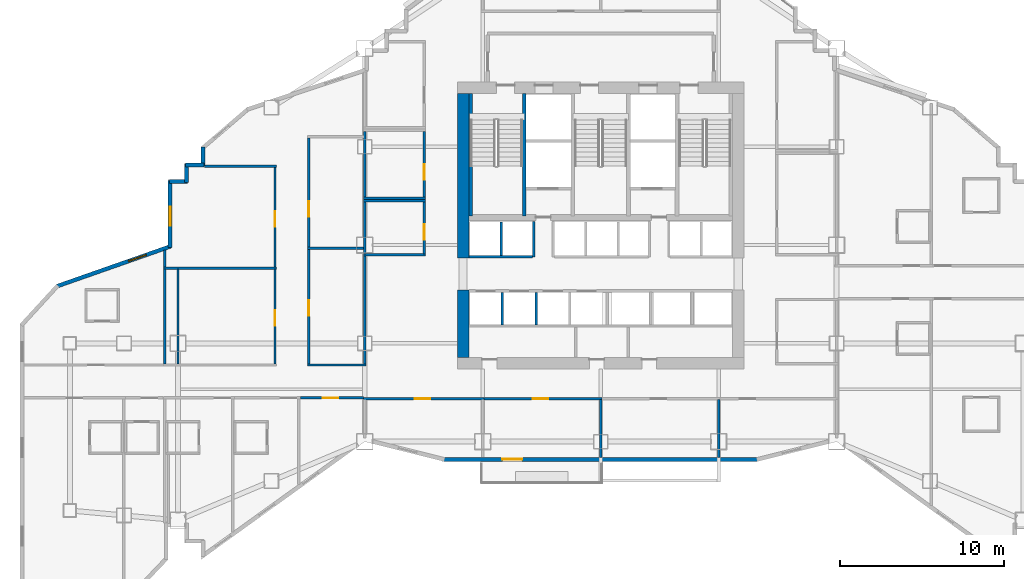
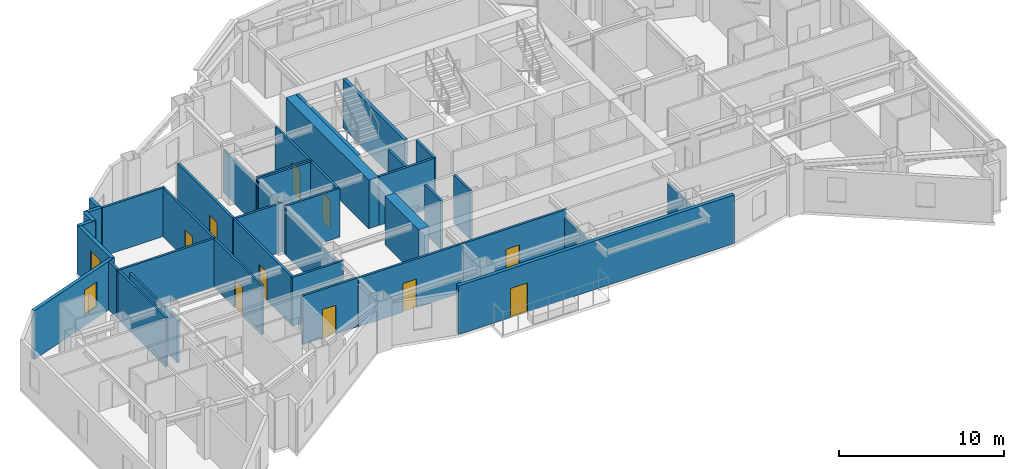
# One storey, part 6 of 13: 40 walls, 10 doors, 2 windows, 12 openings.
"""IFC4 building model written with IfcOpenShell, lengths in metres."""

from ifc_helpers import new_model, si_unit, direction, frame, frame_2d, origin, place, context, subcontext, project, spatial, rectangle, extrude, material, layer, layer_set, type_object, element, fill, save


model = new_model("IFC4")

# Units and contexts
model_context = context("Model", 3, precision=1e-05, world=origin(), true_north=direction((0.0, 1.0)))
body_context = subcontext(model_context, "Body", "Model", "MODEL_VIEW")
ifc_project = project(units=[si_unit("LENGTHUNIT", "METRE"), si_unit("AREAUNIT", "SQUARE_METRE"), si_unit("VOLUMEUNIT", "CUBIC_METRE"), si_unit("PLANEANGLEUNIT", "RADIAN"), si_unit("MASSUNIT", "GRAM", prefix="KILO")], contexts=[model_context])

# Site, building, storey
site_placement = place(None, origin())
site = spatial("IfcSite", under=ifc_project, at=site_placement, CompositionType="ELEMENT")
building_placement = place(site_placement, origin())
building = spatial("IfcBuilding", under=site, at=building_placement, Name="Haolan Belvedere Tower", CompositionType="ELEMENT")
storey_placement = place(building_placement, frame((0.0, 0.0, 102.199951171875)))
storey = spatial("IfcBuildingStorey", under=building, at=storey_placement, Name="L25", CompositionType="ELEMENT", Elevation=102.199951171875)

# Walls
ifc_material_1 = material(Name="Concrete C60/75", Category="concrete")
ifc_layer_1 = layer(ifc_material_1, 0.699951171875, Name="Concrete C60/75")
ifc_layer_set_1 = layer_set([ifc_layer_1], Name="Concrete C60/75")
wall_type_1 = type_object("IfcWallType", Name="WL-CORE-700", PredefinedType="SHEAR", material=ifc_layer_set_1)
wall_1_placement = place(storey_placement, frame((30.0, 26.75, 0.0), z_axis=(0.0, 0.0, 1.0), x_axis=(0.0, 1.0, 0.0)))
element("IfcWall", 1, at=wall_1_placement, inside=storey, type_object=wall_type_1, Name="L25 central core shear wall WS", PredefinedType="SHEAR", context=body_context, shape_type="SweptSolid", body=[
    extrude(rectangle(XDim=4.10009765625, YDim=0.699951171875, at=frame_2d((2.050048828125, 0.0))), origin(), (0.0, 0.0, 1.0), 3.60009765625),
])
wall_2_placement = place(storey_placement, frame((30.0, 32.800048828125, 0.0), z_axis=(0.0, 0.0, 1.0), x_axis=(0.0, 1.0, 0.0)))
element("IfcWall", 2, at=wall_2_placement, inside=storey, type_object=wall_type_1, Name="L25 central core shear wall WN", PredefinedType="SHEAR", context=body_context, shape_type="SweptSolid", body=[
    extrude(rectangle(XDim=10.050048828125, YDim=0.699951171875, at=frame_2d((5.02490234375, 0.0))), origin(), (0.0, 0.0, 1.0), 3.60009765625),
])

# Wall, opening, door
ifc_material_2 = material(Name="Precast concrete C40/50", Category="concrete")
ifc_layer_2 = layer(ifc_material_2, 0.239990234375, Name="Precast concrete C40/50")
ifc_layer_set_2 = layer_set([ifc_layer_2], Name="Precast concrete C40/50")
wall_type_2 = type_object("IfcWallType", Name="WL-EXT-240", PredefinedType="SOLIDWALL", material=ifc_layer_set_2)
wall_3_placement = place(storey_placement, frame((28.759765625, 20.52001953125, 0.0), z_axis=(0.0, 0.0, 1.0), x_axis=(1.0, 0.0, 0.0)))
wall_3 = element("IfcWall", 3, at=wall_3_placement, inside=storey, type_object=wall_type_2, Name="L25 pale-metal exterior spandrel wall 7.1", PredefinedType="SOLIDWALL", context=body_context, shape_type="SweptSolid", body=[
    extrude(rectangle(XDim=19.280517578125, YDim=0.239990234375, at=frame_2d((9.64013671875, 0.0))), origin(), (0.0, 0.0, 1.0), 3.60009765625),
])
opening_1_placement = place(wall_3_placement, frame((4.840087890625, 0.0, 0.0), z_axis=(0.0, 0.0, 1.0), x_axis=(-1.0, 0.0, 0.0)))
opening_1 = element("IfcOpeningElement", 4, at=opening_1_placement, cuts=wall_3, Name="Opening BD-01", PredefinedType="OPENING", context=body_context, shape_type="SweptSolid", body=[
    extrude(rectangle(XDim=1.199951171875, YDim=2.14990234375, at=frame_2d((0.60009765625, 1.074951171875))), frame((0.0, 0.1298828125, 0.0), z_axis=(0.0, -1.0, 0.0), x_axis=(1.0, 0.0, 0.0)), (0.0, 0.0, 1.0), 0.260009765625),
])
ifc_material_3 = material(Name="Thermally broken pale-metal aluminium and Low-E glass", Category="aluminium")
door_type_1 = type_object("IfcDoorType", Name="DR-BAL-1200", OperationType="NOTDEFINED", PredefinedType="DOOR", material=ifc_material_3)
door_1_placement = place(opening_1_placement, origin())
door_1 = element("IfcDoor", 5, at=door_1_placement, inside=storey, type_object=door_type_1, Name="L25 tree-balcony access door 1", OperationType="SINGLE_SWING_LEFT", OverallHeight=2.14990234375, OverallWidth=1.199951171875, PredefinedType="DOOR", context=body_context, shape_type="SweptSolid", body=[
    extrude(rectangle(XDim=1.199951171875, YDim=2.14990234375, at=frame_2d((0.60009765625, 1.074951171875))), frame((0.0, 0.02490234375, 0.0), z_axis=(0.0, -1.0, 0.0), x_axis=(1.0, 0.0, 0.0)), (0.0, 0.0, 1.0), 0.050048828125),
])
fill(opening_1, door_1)

# Walls
wall_4_placement = place(storey_placement, frame((14.1201171875, 39.599853515625, 0.0), z_axis=(0.0, 0.0, 1.0), x_axis=(0.0, -1.0, 0.0)))
element("IfcWall", 6, at=wall_4_placement, inside=storey, type_object=wall_type_2, Name="L25 pale-metal exterior spandrel wall 37.1", PredefinedType="SOLIDWALL", context=body_context, shape_type="SweptSolid", body=[
    extrude(rectangle(XDim=1.1748046875, YDim=0.239990234375, at=frame_2d((0.58740234375, 0.0))), origin(), (0.0, 0.0, 1.0), 3.60009765625),
])
wall_5_placement = place(storey_placement, frame((14.175048828125, 38.47998046875, 0.0), z_axis=(0.0, 0.0, 1.0), x_axis=(-1.0, 0.0, 0.0)))
element("IfcWall", 7, at=wall_5_placement, inside=storey, type_object=wall_type_2, Name="L25 pale-metal exterior spandrel wall 38.1", PredefinedType="SOLIDWALL", context=body_context, shape_type="SweptSolid", body=[
    extrude(rectangle(XDim=1.110107421875, YDim=0.239990234375, at=frame_2d((0.55517578125, 0.0))), origin(), (0.0, 0.0, 1.0), 3.60009765625),
])
wall_6_placement = place(storey_placement, frame((13.1201171875, 38.534912109375, 0.0), z_axis=(0.0, 0.0, 1.0), x_axis=(0.0, -1.0, 0.0)))
element("IfcWall", 8, at=wall_6_placement, inside=storey, type_object=wall_type_2, Name="L25 pale-metal exterior spandrel wall 39.1", PredefinedType="SOLIDWALL", context=body_context, shape_type="SweptSolid", body=[
    extrude(rectangle(XDim=1.10986328125, YDim=0.239990234375, at=frame_2d((0.554931640625, 0.0))), origin(), (0.0, 0.0, 1.0), 3.60009765625),
])
wall_7_placement = place(storey_placement, frame((13.175048828125, 37.47998046875, 0.0), z_axis=(0.0, 0.0, 1.0), x_axis=(-1.0, 0.0, 0.0)))
element("IfcWall", 9, at=wall_7_placement, inside=storey, type_object=wall_type_2, Name="L25 pale-metal exterior spandrel wall 40.1", PredefinedType="SOLIDWALL", context=body_context, shape_type="SweptSolid", body=[
    extrude(rectangle(XDim=1.110107421875, YDim=0.239990234375, at=frame_2d((0.55517578125, 0.0))), origin(), (0.0, 0.0, 1.0), 3.60009765625),
])

# Wall, opening, window
wall_8_placement = place(storey_placement, frame((12.1201171875, 37.534912109375, 0.0), z_axis=(0.0, 0.0, 1.0), x_axis=(0.0, -1.0, 0.0)))
wall_8 = element("IfcWall", 10, at=wall_8_placement, inside=storey, type_object=wall_type_2, Name="L25 pale-metal exterior spandrel wall 41.1", PredefinedType="SOLIDWALL", context=body_context, shape_type="SweptSolid", body=[
    extrude(rectangle(XDim=4.074951171875, YDim=0.239990234375, at=frame_2d((2.03759765625, 0.0))), origin(), (0.0, 0.0, 1.0), 3.60009765625),
])
opening_2_placement = place(wall_8_placement, frame((1.60009765625, 0.0, 0.85009765625)))
opening_2 = element("IfcOpeningElement", 11, at=opening_2_placement, cuts=wall_8, Name="Opening W-02", PredefinedType="OPENING", context=body_context, shape_type="SweptSolid", body=[
    extrude(rectangle(XDim=1.14990234375, YDim=1.800048828125, at=frame_2d((0.574951171875, 0.89990234375))), frame((0.0, 0.1298828125, 0.0), z_axis=(0.0, -1.0, 0.0), x_axis=(1.0, 0.0, 0.0)), (0.0, 0.0, 1.0), 0.260009765625),
])
ifc_material_4 = material(Name="Anodised aluminium 6063-T6 and Low-E glass", Category="aluminium")
window_type = type_object("IfcWindowType", Name="WN-DECO-Z2", PartitioningType="SINGLE_PANEL", PredefinedType="WINDOW", material=ifc_material_4)
window_1_placement = place(opening_2_placement, origin())
window_1 = element("IfcWindow", 12, at=window_1_placement, inside=storey, type_object=window_type, Name="L25 Art Deco chevron window 1", OverallHeight=1.800048828125, OverallWidth=1.14990234375, PartitioningType="SINGLE_PANEL", PredefinedType="WINDOW", context=body_context, shape_type="SweptSolid", body=[
    extrude(rectangle(XDim=1.14990234375, YDim=1.800048828125, at=frame_2d((0.574951171875, 0.89990234375))), frame((0.0, 0.030029296875, 0.0), z_axis=(0.0, -1.0, 0.0), x_axis=(1.0, 0.0, 0.0)), (0.0, 0.0, 1.0), 0.06005859375),
])
fill(opening_2, window_1)

wall_9_placement = place(storey_placement, frame((12.171875, 33.533203125, 0.0), z_axis=(0.0, 0.0, 1.0), x_axis=(-0.943600343117, -0.331086684222, 0.0)))
wall_9 = element("IfcWall", 13, at=wall_9_placement, inside=storey, type_object=wall_type_2, Name="L25 pale-metal exterior spandrel wall 42.1", PredefinedType="SOLIDWALL", context=body_context, shape_type="SweptSolid", body=[
    extrude(rectangle(XDim=7.413818359375, YDim=0.239990234375, at=frame_2d((3.70703125, 0.0))), origin(), (0.0, 0.0, 1.0), 3.60009765625),
])
opening_3_placement = place(wall_9_placement, frame((1.60009765625, 0.0, 0.85009765625)))
opening_3 = element("IfcOpeningElement", 14, at=opening_3_placement, cuts=wall_9, Name="Opening W-02", PredefinedType="OPENING", context=body_context, shape_type="SweptSolid", body=[
    extrude(rectangle(XDim=1.14990234375, YDim=1.800048828125, at=frame_2d((0.574951171875, 0.89990234375))), frame((0.0, 0.1298828125, 0.0), z_axis=(0.0, -1.0, 0.0), x_axis=(1.0, 0.0, 0.0)), (0.0, 0.0, 1.0), 0.260009765625),
])
window_2_placement = place(opening_3_placement, origin())
window_2 = element("IfcWindow", 15, at=window_2_placement, inside=storey, type_object=window_type, Name="L25 Art Deco chevron window 1", OverallHeight=1.800048828125, OverallWidth=1.14990234375, PartitioningType="SINGLE_PANEL", PredefinedType="WINDOW", context=body_context, shape_type="SweptSolid", body=[
    extrude(rectangle(XDim=1.14990234375, YDim=1.800048828125, at=frame_2d((0.574951171875, 0.89990234375))), frame((0.0, 0.030029296875, 0.0), z_axis=(0.0, -1.0, 0.0), x_axis=(1.0, 0.0, 0.0)), (0.0, 0.0, 1.0), 0.06005859375),
])
fill(opening_3, window_2)

# Walls
ifc_material_5 = material(Name="Double gypsum acoustic stud partition", Category="masonry")
ifc_layer_3 = layer(ifc_material_5, 0.14990234375, Name="Double gypsum acoustic stud partition")
ifc_layer_set_3 = layer_set([ifc_layer_3], Name="Double gypsum acoustic stud partition")
wall_type_3 = type_object("IfcWallType", Name="WL-PART-150", PredefinedType="PARTITIONING", material=ifc_layer_set_3)
for number, where, z_axis, x_axis, name in (
    (16, (23.919921875, 36.300048828125, 0.0), (0.0, 0.0, 1.0), (1.0, 0.0, 0.0), "L25 interior partition IW-L25-AWC-N"),
    (17, (23.919921875, 33.0, 0.0), (0.0, 0.0, 1.0), (1.0, 0.0, 0.0), "L25 interior partition IW-L25-AWC-S"),
):
    element("IfcWall", number, at=place(storey_placement, frame(where, z_axis=z_axis, x_axis=x_axis)), inside=storey, type_object=wall_type_3, Name=name, PredefinedType="PARTITIONING", context=body_context, shape_type="SweptSolid", body=[
        extrude(rectangle(XDim=3.800048828125, YDim=0.14990234375, at=frame_2d((1.89990234375, 0.0))), origin(), (0.0, 0.0, 1.0), 3.60009765625),
    ])
wall_10_placement = place(storey_placement, frame((24.0, 33.06005859375, 0.0), z_axis=(0.0, 0.0, 1.0), x_axis=(0.0, 1.0, 0.0)))
element("IfcWall", 18, at=wall_10_placement, inside=storey, type_object=wall_type_3, Name="L25 interior partition IW-L25-AWC-W", PredefinedType="PARTITIONING", context=body_context, shape_type="SweptSolid", body=[
    extrude(rectangle(XDim=3.179931640625, YDim=0.14990234375, at=frame_2d((1.58984375, 0.0))), origin(), (0.0, 0.0, 1.0), 3.14501953125),
])

# Wall, opening, door
wall_11_placement = place(storey_placement, frame((27.639892578125, 33.06005859375, 0.0), z_axis=(0.0, 0.0, 1.0), x_axis=(0.0, 1.0, 0.0)))
wall_11 = element("IfcWall", 19, at=wall_11_placement, inside=storey, type_object=wall_type_3, Name="L25 interior partition IW-L25-AWC-E", PredefinedType="PARTITIONING", context=body_context, shape_type="SweptSolid", body=[
    extrude(rectangle(XDim=3.179931640625, YDim=0.14990234375, at=frame_2d((1.58984375, 0.0))), origin(), (0.0, 0.0, 1.0), 3.60009765625),
])
opening_4_placement = place(wall_11_placement, frame((1.81005859375, 0.0, 0.0), z_axis=(0.0, 0.0, 1.0), x_axis=(-1.0, 0.0, 0.0)))
opening_4 = element("IfcOpeningElement", 20, at=opening_4_placement, cuts=wall_11, Name="Opening ID-03", PredefinedType="OPENING", context=body_context, shape_type="SweptSolid", body=[
    extrude(rectangle(XDim=0.949951171875, YDim=2.1201171875, at=frame_2d((0.47509765625, 1.06005859375))), frame((0.0, 0.0849609375, 0.0), z_axis=(0.0, -1.0, 0.0), x_axis=(1.0, 0.0, 0.0)), (0.0, 0.0, 1.0), 0.169921875),
])
ifc_material_6 = material(Name="Painted solid-core timber", Category="wood")
door_type_2 = type_object("IfcDoorType", Name="DR-INT-950", OperationType="NOTDEFINED", PredefinedType="DOOR", material=ifc_material_6)
door_2_placement = place(opening_4_placement, origin())
door_2 = element("IfcDoor", 21, at=door_2_placement, inside=storey, type_object=door_type_2, Name="L25 door ID-L25-AWC", OperationType="SINGLE_SWING_LEFT", OverallHeight=2.1201171875, OverallWidth=0.949951171875, PredefinedType="DOOR", context=body_context, shape_type="SweptSolid", body=[
    extrude(rectangle(XDim=0.949951171875, YDim=2.1201171875, at=frame_2d((0.47509765625, 1.06005859375))), frame((0.0, 0.02490234375, 0.0), z_axis=(0.0, -1.0, 0.0), x_axis=(1.0, 0.0, 0.0)), (0.0, 0.0, 1.0), 0.050048828125),
])
fill(opening_4, door_2)

# Walls
wall_12_placement = place(storey_placement, frame((23.919921875, 36.4599609375, 0.0), z_axis=(0.0, 0.0, 1.0), x_axis=(1.0, 0.0, 0.0)))
element("IfcWall", 22, at=wall_12_placement, inside=storey, type_object=wall_type_3, Name="L25 interior partition IW-L25-PNT-S", PredefinedType="PARTITIONING", context=body_context, shape_type="SweptSolid", body=[
    extrude(rectangle(XDim=3.800048828125, YDim=0.14990234375, at=frame_2d((1.89990234375, 0.0))), origin(), (0.0, 0.0, 1.0), 3.60009765625),
])
wall_13_placement = place(storey_placement, frame((24.0, 36.52001953125, 0.0), z_axis=(0.0, 0.0, 1.0), x_axis=(0.0, 1.0, 0.0)))
element("IfcWall", 23, at=wall_13_placement, inside=storey, type_object=wall_type_3, Name="L25 interior partition IW-L25-PNT-W", PredefinedType="PARTITIONING", context=body_context, shape_type="SweptSolid", body=[
    extrude(rectangle(XDim=4.02001953125, YDim=0.14990234375, at=frame_2d((2.010009765625, 0.0))), origin(), (0.0, 0.0, 1.0), 3.14501953125),
])

# Wall, opening, door
wall_14_placement = place(storey_placement, frame((27.639892578125, 36.52001953125, 0.0), z_axis=(0.0, 0.0, 1.0), x_axis=(0.0, 1.0, 0.0)))
wall_14 = element("IfcWall", 24, at=wall_14_placement, inside=storey, type_object=wall_type_3, Name="L25 interior partition IW-L25-PNT-E", PredefinedType="PARTITIONING", context=body_context, shape_type="SweptSolid", body=[
    extrude(rectangle(XDim=4.02001953125, YDim=0.14990234375, at=frame_2d((2.010009765625, 0.0))), origin(), (0.0, 0.0, 1.0), 3.60009765625),
])
opening_5_placement = place(wall_14_placement, frame((2.010009765625, 0.0, 0.0), z_axis=(0.0, 0.0, 1.0), x_axis=(-1.0, 0.0, 0.0)))
opening_5 = element("IfcOpeningElement", 25, at=opening_5_placement, cuts=wall_14, Name="Opening ID-03", PredefinedType="OPENING", context=body_context, shape_type="SweptSolid", body=[
    extrude(rectangle(XDim=0.949951171875, YDim=2.1201171875, at=frame_2d((0.47509765625, 1.06005859375))), frame((0.0, 0.0849609375, 0.0), z_axis=(0.0, -1.0, 0.0), x_axis=(1.0, 0.0, 0.0)), (0.0, 0.0, 1.0), 0.169921875),
])
door_3_placement = place(opening_5_placement, origin())
door_3 = element("IfcDoor", 26, at=door_3_placement, inside=storey, type_object=door_type_2, Name="L25 door ID-L25-PNT", OperationType="SINGLE_SWING_RIGHT", OverallHeight=2.1201171875, OverallWidth=0.949951171875, PredefinedType="DOOR", context=body_context, shape_type="SweptSolid", body=[
    extrude(rectangle(XDim=0.949951171875, YDim=2.1201171875, at=frame_2d((0.47509765625, 1.06005859375))), frame((0.0, 0.02490234375, 0.0), z_axis=(0.0, -1.0, 0.0), x_axis=(1.0, 0.0, 0.0)), (0.0, 0.0, 1.0), 0.050048828125),
])
fill(opening_5, door_3)

wall_15_placement = place(storey_placement, frame((23.919921875, 24.219970703125, 0.0), z_axis=(0.0, 0.0, 1.0), x_axis=(1.0, 0.0, 0.0)))
wall_15 = element("IfcWall", 27, at=wall_15_placement, inside=storey, type_object=wall_type_3, Name="L25 interior partition IW-L25-KS1-N", PredefinedType="PARTITIONING", context=body_context, shape_type="SweptSolid", body=[
    extrude(rectangle(XDim=7.360107421875, YDim=0.14990234375, at=frame_2d((3.68017578125, 0.0))), origin(), (0.0, 0.0, 1.0), 3.60009765625),
])
opening_6_placement = place(wall_15_placement, frame((4.074951171875, 0.0, 0.0), z_axis=(0.0, 0.0, 1.0), x_axis=(-1.0, 0.0, 0.0)))
opening_6 = element("IfcOpeningElement", 28, at=opening_6_placement, cuts=wall_15, Name="Opening ID-03", PredefinedType="OPENING", context=body_context, shape_type="SweptSolid", body=[
    extrude(rectangle(XDim=0.949951171875, YDim=2.1201171875, at=frame_2d((0.47509765625, 1.06005859375))), frame((0.0, 0.0849609375, 0.0), z_axis=(0.0, -1.0, 0.0), x_axis=(1.0, 0.0, 0.0)), (0.0, 0.0, 1.0), 0.169921875),
])
door_4_placement = place(opening_6_placement, origin())
door_4 = element("IfcDoor", 29, at=door_4_placement, inside=storey, type_object=door_type_2, Name="L25 door ID-L25-KS1", OperationType="SINGLE_SWING_LEFT", OverallHeight=2.1201171875, OverallWidth=0.949951171875, PredefinedType="DOOR", context=body_context, shape_type="SweptSolid", body=[
    extrude(rectangle(XDim=0.949951171875, YDim=2.1201171875, at=frame_2d((0.47509765625, 1.06005859375))), frame((0.0, 0.02490234375, 0.0), z_axis=(0.0, -1.0, 0.0), x_axis=(1.0, 0.0, 0.0)), (0.0, 0.0, 1.0), 0.050048828125),
])
fill(opening_6, door_4)

wall_16_placement = place(storey_placement, frame((31.281982421875, 24.219970703125, 0.0), z_axis=(0.0, 0.0, 1.0), x_axis=(1.0, 0.0, 0.0)))
wall_16 = element("IfcWall", 30, at=wall_16_placement, inside=storey, type_object=wall_type_3, Name="L25 interior partition IW-L25-KS2-N", PredefinedType="PARTITIONING", context=body_context, shape_type="SweptSolid", body=[
    extrude(rectangle(XDim=7.197998046875, YDim=0.14990234375, at=frame_2d((3.59912109375, 0.0))), origin(), (0.0, 0.0, 1.0), 3.60009765625),
])
opening_7_placement = place(wall_16_placement, frame((3.912841796875, 0.0, 0.0), z_axis=(0.0, 0.0, 1.0), x_axis=(-1.0, 0.0, 0.0)))
opening_7 = element("IfcOpeningElement", 31, at=opening_7_placement, cuts=wall_16, Name="Opening ID-03", PredefinedType="OPENING", context=body_context, shape_type="SweptSolid", body=[
    extrude(rectangle(XDim=0.949951171875, YDim=2.1201171875, at=frame_2d((0.47509765625, 1.06005859375))), frame((0.0, 0.0849609375, 0.0), z_axis=(0.0, -1.0, 0.0), x_axis=(1.0, 0.0, 0.0)), (0.0, 0.0, 1.0), 0.169921875),
])
door_5_placement = place(opening_7_placement, origin())
door_5 = element("IfcDoor", 32, at=door_5_placement, inside=storey, type_object=door_type_2, Name="L25 door ID-L25-KS2", OperationType="SINGLE_SWING_RIGHT", OverallHeight=2.1201171875, OverallWidth=0.949951171875, PredefinedType="DOOR", context=body_context, shape_type="SweptSolid", body=[
    extrude(rectangle(XDim=0.949951171875, YDim=2.1201171875, at=frame_2d((0.47509765625, 1.06005859375))), frame((0.0, 0.02490234375, 0.0), z_axis=(0.0, -1.0, 0.0), x_axis=(1.0, 0.0, 0.0)), (0.0, 0.0, 1.0), 0.050048828125),
])
fill(opening_7, door_5)

# Walls
for number, where, z_axis, x_axis, name in (
    (33, (38.39990234375, 20.625, 0.0), (0.0, 0.0, 1.0), (0.0, 1.0, 0.0), "L25 interior partition IW-L25-KS2-E"),
    (34, (45.60009765625, 20.625, 0.0), (0.0, 0.0, 1.0), (0.0, 1.0, 0.0), "L25 interior partition IW-L25-KS3-E"),
):
    element("IfcWall", number, at=place(storey_placement, frame(where, z_axis=z_axis, x_axis=x_axis)), inside=storey, type_object=wall_type_3, Name=name, PredefinedType="PARTITIONING", context=body_context, shape_type="SweptSolid", body=[
        extrude(rectangle(XDim=3.534912109375, YDim=0.14990234375, at=frame_2d((1.767578125, 0.0))), origin(), (0.0, 0.0, 1.0), 3.0849609375),
    ])
wall_17_placement = place(storey_placement, frame((11.719970703125, 32.199951171875, 0.0), z_axis=(0.0, 0.0, 1.0), x_axis=(1.0, 0.0, 0.0)))
element("IfcWall", 35, at=wall_17_placement, inside=storey, type_object=wall_type_3, Name="L25 interior partition IW-L25-T2W1-N", PredefinedType="PARTITIONING", context=body_context, shape_type="SweptSolid", body=[
    extrude(rectangle(XDim=6.880126953125, YDim=0.14990234375, at=frame_2d((3.43994140625, 0.0))), origin(), (0.0, 0.0, 1.0), 3.60009765625),
])
wall_18_placement = place(storey_placement, frame((11.800048828125, 26.340087890625, 0.0), z_axis=(0.0, 0.0, 1.0), x_axis=(0.0, 1.0, 0.0)))
element("IfcWall", 36, at=wall_18_placement, inside=storey, type_object=wall_type_3, Name="L25 interior partition IW-L25-T2W1-W", PredefinedType="PARTITIONING", context=body_context, shape_type="SweptSolid", body=[
    extrude(rectangle(XDim=5.7998046875, YDim=0.14990234375, at=frame_2d((2.89990234375, 0.0))), origin(), (0.0, 0.0, 1.0), 3.60009765625),
])

# Wall, opening, door
wall_19_placement = place(storey_placement, frame((18.52001953125, 26.340087890625, 0.0), z_axis=(0.0, 0.0, 1.0), x_axis=(0.0, 1.0, 0.0)))
wall_19 = element("IfcWall", 37, at=wall_19_placement, inside=storey, type_object=wall_type_3, Name="L25 interior partition IW-L25-T2W1-E", PredefinedType="PARTITIONING", context=body_context, shape_type="SweptSolid", body=[
    extrude(rectangle(XDim=5.7998046875, YDim=0.14990234375, at=frame_2d((2.89990234375, 0.0))), origin(), (0.0, 0.0, 1.0), 3.60009765625),
])
opening_8_placement = place(wall_19_placement, frame((3.294921875, 0.0, 0.0), z_axis=(0.0, 0.0, 1.0), x_axis=(-1.0, 0.0, 0.0)))
opening_8 = element("IfcOpeningElement", 38, at=opening_8_placement, cuts=wall_19, Name="Opening ID-03", PredefinedType="OPENING", context=body_context, shape_type="SweptSolid", body=[
    extrude(rectangle(XDim=0.949951171875, YDim=2.1201171875, at=frame_2d((0.47509765625, 1.06005859375))), frame((0.0, 0.0849609375, 0.0), z_axis=(0.0, -1.0, 0.0), x_axis=(1.0, 0.0, 0.0)), (0.0, 0.0, 1.0), 0.169921875),
])
door_6_placement = place(opening_8_placement, origin())
door_6 = element("IfcDoor", 39, at=door_6_placement, inside=storey, type_object=door_type_2, Name="L25 door ID-L25-T2W1", OperationType="SINGLE_SWING_LEFT", OverallHeight=2.1201171875, OverallWidth=0.949951171875, PredefinedType="DOOR", context=body_context, shape_type="SweptSolid", body=[
    extrude(rectangle(XDim=0.949951171875, YDim=2.1201171875, at=frame_2d((0.47509765625, 1.06005859375))), frame((0.0, 0.02490234375, 0.0), z_axis=(0.0, -1.0, 0.0), x_axis=(1.0, 0.0, 0.0)), (0.0, 0.0, 1.0), 0.050048828125),
])
fill(opening_8, door_6)

# Walls
wall_20_placement = place(storey_placement, frame((14.22509765625, 38.39990234375, 0.0), z_axis=(0.0, 0.0, 1.0), x_axis=(1.0, 0.0, 0.0)))
element("IfcWall", 40, at=wall_20_placement, inside=storey, type_object=wall_type_3, Name="L25 interior partition IW-L25-T2W2-N", PredefinedType="PARTITIONING", context=body_context, shape_type="SweptSolid", body=[
    extrude(rectangle(XDim=4.375, YDim=0.14990234375, at=frame_2d((2.1875, 0.0))), origin(), (0.0, 0.0, 1.0), 3.60009765625),
])
wall_21_placement = place(storey_placement, frame((11.800048828125, 32.260009765625, 0.0), z_axis=(0.0, 0.0, 1.0), x_axis=(0.0, 1.0, 0.0)))
element("IfcWall", 41, at=wall_21_placement, inside=storey, type_object=wall_type_3, Name="L25 interior partition IW-L25-T2W2-W", PredefinedType="PARTITIONING", context=body_context, shape_type="SweptSolid", body=[
    extrude(rectangle(XDim=1.03125, YDim=0.14990234375, at=frame_2d((0.515625, 0.0))), origin(), (0.0, 0.0, 1.0), 3.60009765625),
])

# Wall, opening, door
wall_22_placement = place(storey_placement, frame((18.52001953125, 32.260009765625, 0.0), z_axis=(0.0, 0.0, 1.0), x_axis=(0.0, 1.0, 0.0)))
wall_22 = element("IfcWall", 42, at=wall_22_placement, inside=storey, type_object=wall_type_3, Name="L25 interior partition IW-L25-T2W2-E", PredefinedType="PARTITIONING", context=body_context, shape_type="SweptSolid", body=[
    extrude(rectangle(XDim=6.080078125, YDim=0.14990234375, at=frame_2d((3.0400390625, 0.0))), origin(), (0.0, 0.0, 1.0), 3.60009765625),
])
opening_9_placement = place(wall_22_placement, frame((3.4150390625, 0.0, 0.0), z_axis=(0.0, 0.0, 1.0), x_axis=(-1.0, 0.0, 0.0)))
opening_9 = element("IfcOpeningElement", 43, at=opening_9_placement, cuts=wall_22, Name="Opening ID-03", PredefinedType="OPENING", context=body_context, shape_type="SweptSolid", body=[
    extrude(rectangle(XDim=0.949951171875, YDim=2.1201171875, at=frame_2d((0.47509765625, 1.06005859375))), frame((0.0, 0.0849609375, 0.0), z_axis=(0.0, -1.0, 0.0), x_axis=(1.0, 0.0, 0.0)), (0.0, 0.0, 1.0), 0.169921875),
])
door_7_placement = place(opening_9_placement, origin())
door_7 = element("IfcDoor", 44, at=door_7_placement, inside=storey, type_object=door_type_2, Name="L25 door ID-L25-T2W2", OperationType="SINGLE_SWING_RIGHT", OverallHeight=2.1201171875, OverallWidth=0.949951171875, PredefinedType="DOOR", context=body_context, shape_type="SweptSolid", body=[
    extrude(rectangle(XDim=0.949951171875, YDim=2.1201171875, at=frame_2d((0.47509765625, 1.06005859375))), frame((0.0, 0.02490234375, 0.0), z_axis=(0.0, -1.0, 0.0), x_axis=(1.0, 0.0, 0.0)), (0.0, 0.0, 1.0), 0.050048828125),
])
fill(opening_9, door_7)

# Walls
wall_23_placement = place(storey_placement, frame((20.5, 33.39990234375, 0.0), z_axis=(0.0, 0.0, 1.0), x_axis=(1.0, 0.0, 0.0)))
element("IfcWall", 45, at=wall_23_placement, inside=storey, type_object=wall_type_3, Name="L25 interior partition IW-L25-T2E1-N", PredefinedType="PARTITIONING", context=body_context, shape_type="SweptSolid", body=[
    extrude(rectangle(XDim=3.43994140625, YDim=0.14990234375, at=frame_2d((1.719970703125, 0.0))), origin(), (0.0, 0.0, 1.0), 3.60009765625),
])
wall_24_placement = place(storey_placement, frame((20.5, 26.280029296875, 0.0), z_axis=(0.0, 0.0, 1.0), x_axis=(1.0, 0.0, 0.0)))
element("IfcWall", 46, at=wall_24_placement, inside=storey, type_object=wall_type_3, Name="L25 interior partition IW-L25-T2E1-S", PredefinedType="PARTITIONING", context=body_context, shape_type="SweptSolid", body=[
    extrude(rectangle(XDim=3.580078125, YDim=0.14990234375, at=frame_2d((1.7900390625, 0.0))), origin(), (0.0, 0.0, 1.0), 3.60009765625),
])

# Wall, opening, door
wall_25_placement = place(storey_placement, frame((20.580078125, 26.340087890625, 0.0), z_axis=(0.0, 0.0, 1.0), x_axis=(0.0, 1.0, 0.0)))
wall_25 = element("IfcWall", 47, at=wall_25_placement, inside=storey, type_object=wall_type_3, Name="L25 interior partition IW-L25-T2E1-W", PredefinedType="PARTITIONING", context=body_context, shape_type="SweptSolid", body=[
    extrude(rectangle(XDim=7.0, YDim=0.14990234375, at=frame_2d((3.5, 0.0))), origin(), (0.0, 0.0, 1.0), 3.60009765625),
])
opening_10_placement = place(wall_25_placement, frame((2.945068359375, 0.0, 0.0)))
opening_10 = element("IfcOpeningElement", 48, at=opening_10_placement, cuts=wall_25, Name="Opening ID-03", PredefinedType="OPENING", context=body_context, shape_type="SweptSolid", body=[
    extrude(rectangle(XDim=0.949951171875, YDim=2.1201171875, at=frame_2d((0.47509765625, 1.06005859375))), frame((0.0, 0.0849609375, 0.0), z_axis=(0.0, -1.0, 0.0), x_axis=(1.0, 0.0, 0.0)), (0.0, 0.0, 1.0), 0.169921875),
])
door_8_placement = place(opening_10_placement, origin())
door_8 = element("IfcDoor", 49, at=door_8_placement, inside=storey, type_object=door_type_2, Name="L25 door ID-L25-T2E1", OperationType="SINGLE_SWING_RIGHT", OverallHeight=2.1201171875, OverallWidth=0.949951171875, PredefinedType="DOOR", context=body_context, shape_type="SweptSolid", body=[
    extrude(rectangle(XDim=0.949951171875, YDim=2.1201171875, at=frame_2d((0.47509765625, 1.06005859375))), frame((0.0, 0.02490234375, 0.0), z_axis=(0.0, -1.0, 0.0), x_axis=(1.0, 0.0, 0.0)), (0.0, 0.0, 1.0), 0.050048828125),
])
fill(opening_10, door_8)

# Wall
wall_26_placement = place(storey_placement, frame((24.0, 26.340087890625, 0.0), z_axis=(0.0, 0.0, 1.0), x_axis=(0.0, 1.0, 0.0)))
element("IfcWall", 50, at=wall_26_placement, inside=storey, type_object=wall_type_3, Name="L25 interior partition IW-L25-T2E1-E", PredefinedType="PARTITIONING", context=body_context, shape_type="SweptSolid", body=[
    extrude(rectangle(XDim=6.599853515625, YDim=0.14990234375, at=frame_2d((3.2998046875, 0.0))), origin(), (0.0, 0.0, 1.0), 3.14501953125),
])

# Wall, opening, door
wall_27_placement = place(storey_placement, frame((20.580078125, 33.4599609375, 0.0), z_axis=(0.0, 0.0, 1.0), x_axis=(0.0, 1.0, 0.0)))
wall_27 = element("IfcWall", 51, at=wall_27_placement, inside=storey, type_object=wall_type_3, Name="L25 interior partition IW-L25-T2E2-W", PredefinedType="PARTITIONING", context=body_context, shape_type="SweptSolid", body=[
    extrude(rectangle(XDim=6.679931640625, YDim=0.14990234375, at=frame_2d((3.33984375, 0.0))), origin(), (0.0, 0.0, 1.0), 3.60009765625),
])
opening_11_placement = place(wall_27_placement, frame((1.864990234375, 0.0, 0.0)))
opening_11 = element("IfcOpeningElement", 52, at=opening_11_placement, cuts=wall_27, Name="Opening ID-03", PredefinedType="OPENING", context=body_context, shape_type="SweptSolid", body=[
    extrude(rectangle(XDim=0.949951171875, YDim=2.1201171875, at=frame_2d((0.47509765625, 1.06005859375))), frame((0.0, 0.0849609375, 0.0), z_axis=(0.0, -1.0, 0.0), x_axis=(1.0, 0.0, 0.0)), (0.0, 0.0, 1.0), 0.169921875),
])
door_9_placement = place(opening_11_placement, origin())
door_9 = element("IfcDoor", 53, at=door_9_placement, inside=storey, type_object=door_type_2, Name="L25 door ID-L25-T2E2", OperationType="SINGLE_SWING_LEFT", OverallHeight=2.1201171875, OverallWidth=0.949951171875, PredefinedType="DOOR", context=body_context, shape_type="SweptSolid", body=[
    extrude(rectangle(XDim=0.949951171875, YDim=2.1201171875, at=frame_2d((0.47509765625, 1.06005859375))), frame((0.0, 0.02490234375, 0.0), z_axis=(0.0, -1.0, 0.0), x_axis=(1.0, 0.0, 0.0)), (0.0, 0.0, 1.0), 0.050048828125),
])
fill(opening_11, door_9)

wall_28_placement = place(storey_placement, frame((20.072021484375, 24.27001953125, 0.0), z_axis=(0.0, 0.0, 1.0), x_axis=(1.0, 0.0, 0.0)))
wall_28 = element("IfcWall", 54, at=wall_28_placement, inside=storey, type_object=wall_type_3, Name="L25 interior partition IW-L25-T2S3-N", PredefinedType="PARTITIONING", context=body_context, shape_type="SweptSolid", body=[
    extrude(rectangle(XDim=3.845947265625, YDim=0.14990234375, at=frame_2d((1.9228515625, 0.0))), origin(), (0.0, 0.0, 1.0), 3.60009765625),
])
opening_12_placement = place(wall_28_placement, frame((2.307861328125, 0.0, 0.0), z_axis=(0.0, 0.0, 1.0), x_axis=(-1.0, 0.0, 0.0)))
opening_12 = element("IfcOpeningElement", 55, at=opening_12_placement, cuts=wall_28, Name="Opening ID-03", PredefinedType="OPENING", context=body_context, shape_type="SweptSolid", body=[
    extrude(rectangle(XDim=0.949951171875, YDim=2.1201171875, at=frame_2d((0.47509765625, 1.06005859375))), frame((0.0, 0.0849609375, 0.0), z_axis=(0.0, -1.0, 0.0), x_axis=(1.0, 0.0, 0.0)), (0.0, 0.0, 1.0), 0.169921875),
])
door_10_placement = place(opening_12_placement, origin())
door_10 = element("IfcDoor", 56, at=door_10_placement, inside=storey, type_object=door_type_2, Name="L25 door ID-L25-T2S3", OperationType="SINGLE_SWING_RIGHT", OverallHeight=2.1201171875, OverallWidth=0.949951171875, PredefinedType="DOOR", context=body_context, shape_type="SweptSolid", body=[
    extrude(rectangle(XDim=0.949951171875, YDim=2.1201171875, at=frame_2d((0.47509765625, 1.06005859375))), frame((0.0, 0.02490234375, 0.0), z_axis=(0.0, -1.0, 0.0), x_axis=(1.0, 0.0, 0.0)), (0.0, 0.0, 1.0), 0.050048828125),
])
fill(opening_12, door_10)

# Walls
wall_29_placement = place(storey_placement, frame((12.60009765625, 26.340087890625, 0.0), z_axis=(0.0, 0.0, 1.0), x_axis=(0.0, 1.0, 0.0)))
element("IfcWall", 57, at=wall_29_placement, inside=storey, type_object=wall_type_3, Name="L25 interior partition IW-L25-T1N1-E", PredefinedType="PARTITIONING", context=body_context, shape_type="SweptSolid", body=[
    extrude(rectangle(XDim=5.7998046875, YDim=0.14990234375, at=frame_2d((2.89990234375, 0.0))), origin(), (0.0, 0.0, 1.0), 3.14501953125),
])
ifc_material_7 = material(Name="Gypsum fire shaftwall assembly", Category="masonry")
ifc_layer_4 = layer(ifc_material_7, 0.1650390625, Name="Gypsum fire shaftwall assembly")
ifc_layer_set_4 = layer_set([ifc_layer_4], Name="Gypsum fire shaftwall assembly")
wall_type_4 = type_object("IfcWallType", Name="WL-SHAFT-160", PredefinedType="SOLIDWALL", material=ifc_layer_set_4)
wall_30_placement = place(storey_placement, frame((34.31005859375, 32.8798828125, 0.0), z_axis=(0.0, 0.0, 1.0), x_axis=(0.0, 1.0, 0.0)))
element("IfcWall", 58, at=wall_30_placement, inside=storey, type_object=wall_type_4, Name="L25 interior partition IW-L25-SVP-W-SV1", PredefinedType="SOLIDWALL", context=body_context, shape_type="SweptSolid", body=[
    extrude(rectangle(XDim=2.170166015625, YDim=0.14990234375, at=frame_2d((1.0849609375, 0.0))), origin(), (0.0, 0.0, 1.0), 3.60009765625),
])
wall_31_placement = place(storey_placement, frame((30.35009765625, 32.8798828125, 0.0), z_axis=(0.0, 0.0, 1.0), x_axis=(1.0, 0.0, 0.0)))
element("IfcWall", 59, at=wall_31_placement, inside=storey, type_object=wall_type_4, Name="L25 interior partition IW-L25-ROW-PN1", PredefinedType="SOLIDWALL", context=body_context, shape_type="SweptSolid", body=[
    extrude(rectangle(XDim=3.89990234375, YDim=0.159912109375, at=frame_2d((1.949951171875, 0.0))), origin(), (0.0, 0.0, 1.0), 3.60009765625),
])
wall_32_placement = place(storey_placement, frame((32.340087890625, 32.949951171875, 0.0), z_axis=(0.0, 0.0, 1.0), x_axis=(0.0, 1.0, 0.0)))
element("IfcWall", 60, at=wall_32_placement, inside=storey, type_object=wall_type_4, Name="L25 interior partition IW-L25-DIV-PL1", PredefinedType="SOLIDWALL", context=body_context, shape_type="SweptSolid", body=[
    extrude(rectangle(XDim=2.050048828125, YDim=0.14990234375, at=frame_2d((1.02490234375, 0.0))), origin(), (0.0, 0.0, 1.0), 3.60009765625),
])
for number, where, z_axis, x_axis, name in (
    (61, (32.39990234375, 28.735107421875, 0.0), (0.0, 0.0, 1.0), (0.0, 1.0, 0.0), "L25 interior partition IW-L25-DIV-PM1"),
    (62, (34.4599609375, 28.735107421875, 0.0), (0.0, 0.0, 1.0), (0.0, 1.0, 0.0), "L25 interior partition IW-L25-DIV-PM2"),
):
    element("IfcWall", number, at=place(storey_placement, frame(where, z_axis=z_axis, x_axis=x_axis)), inside=storey, type_object=wall_type_4, Name=name, PredefinedType="SOLIDWALL", context=body_context, shape_type="SweptSolid", body=[
        extrude(rectangle(XDim=1.98486328125, YDim=0.14990234375, at=frame_2d((0.992431640625, 0.0))), origin(), (0.0, 0.0, 1.0), 3.60009765625),
    ])
ifc_material_8 = material(Name="Concrete C50/60", Category="concrete")
ifc_layer_5 = layer(ifc_material_8, 0.219970703125, Name="Concrete C50/60")
ifc_layer_set_5 = layer_set([ifc_layer_5], Name="Concrete C50/60")
wall_type_5 = type_object("IfcWallType", Name="WL-STAIR-220", PredefinedType="SHEAR", material=ifc_layer_set_5)
for number, where, z_axis, x_axis, name in (
    (63, (30.4619140625, 35.389892578125, 0.0), (0.0, 0.0, 1.0), (0.0, 1.0, 0.0), "L25 structural stair core wall ST1W"),
    (64, (33.739990234375, 35.389892578125, 0.0), (0.0, 0.0, 1.0), (0.0, 1.0, 0.0), "L25 structural stair core wall ST1E"),
):
    element("IfcWall", number, at=place(storey_placement, frame(where, z_axis=z_axis, x_axis=x_axis)), inside=storey, type_object=wall_type_5, Name=name, PredefinedType="SHEAR", context=body_context, shape_type="SweptSolid", body=[
        extrude(rectangle(XDim=7.460205078125, YDim=0.219970703125, at=frame_2d((3.72998046875, 0.0))), origin(), (0.0, 0.0, 1.0), 3.60009765625),
    ])

save(model, "model.ifc")
